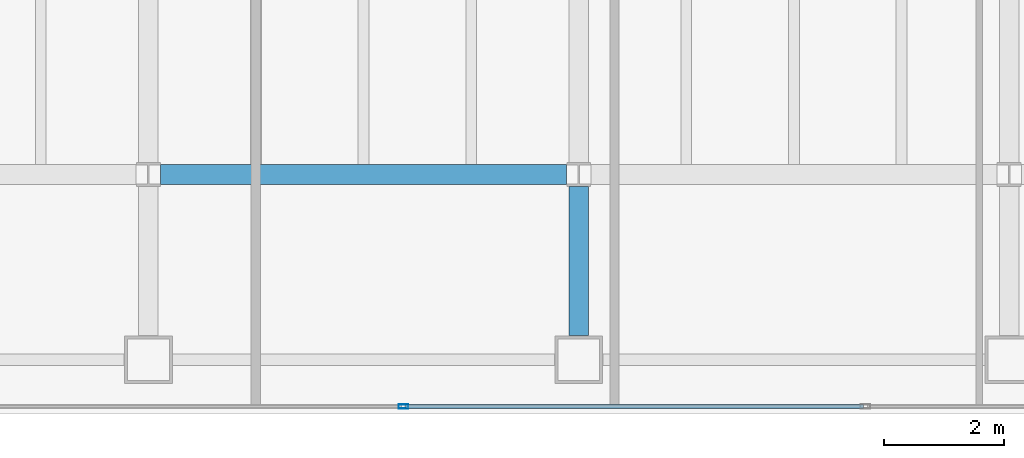
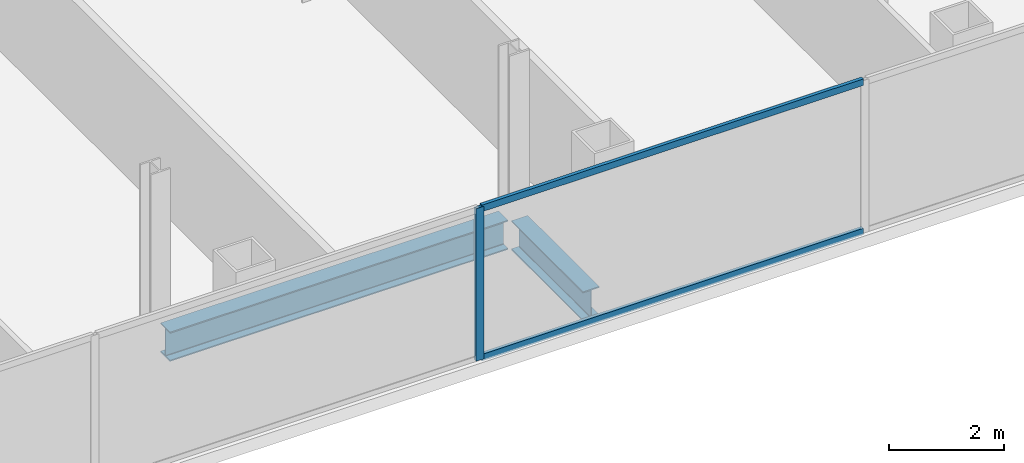
# One storey, part 6 of 23: 3 members, 2 beams, 1 element without a shape of its own.
"""IFC4 building model written with IfcOpenShell, lengths in metres."""

import ifcopenshell
import ifcopenshell.guid

model = None  # the IFC model being written
_history = None  # IfcOwnerHistory: only IFC2X3 demands one
_inside = {}  # id of a spatial element -> (the spatial element, [elements in it])
_under = {}  # id of a project, library or spatial element -> (it, [spatial elements below it])
_declared = {}  # id of a project -> (the project, [libraries it declares])
_typed = {}  # id of a type object -> (the type object, [elements of that type])
_made_of = {}  # id of a material, layer set ... -> (it, [elements and type objects made of it])


def new_model(schema):
    """Start an empty IFC model of exactly this schema.

    Asked for "IFC4X3", IfcOpenShell would pick the latest addendum, in which some entities
    have other attributes; the version numbers below select the first issue.
    IFC2X3 requires an IfcOwnerHistory on every rooted entity: one is made here for all.
    """
    global model, _history
    if schema == "IFC4X3":
        model = ifcopenshell.file(schema_version=(4, 3, 0, 0))
    else:
        model = ifcopenshell.file(schema=schema)
    _inside.clear()
    _under.clear()
    _declared.clear()
    _typed.clear()
    _made_of.clear()
    _history = None
    if model.schema == "IFC2X3":
        org = make("IfcOrganization", Name="unknown")
        user = make(
            "IfcPersonAndOrganization",
            ThePerson=make("IfcPerson", FamilyName="unknown"),
            TheOrganization=org,
        )
        app = make(
            "IfcApplication",
            ApplicationDeveloper=org,
            Version="unknown",
            ApplicationFullName="unknown",
            ApplicationIdentifier="unknown",
        )
        _history = make(
            "IfcOwnerHistory",
            OwningUser=user,
            OwningApplication=app,
            ChangeAction="ADDED",
            CreationDate=0,
        )
    return model


def make(cls, **values):
    """One entity of the class cls with the attributes given. An attribute that is None is left unset."""
    return model.create_entity(
        cls, **{name: value for name, value in values.items() if value is not None}
    )


def rooted(cls, **values):
    """An entity with a GlobalId (a new one), such as an element, a storey or a relation."""
    return make(cls, GlobalId=ifcopenshell.guid.new(), OwnerHistory=_history, **values)


def si_unit(unit_type, name, prefix=None):
    """IfcSIUnit, for example si_unit("LENGTHUNIT", "METRE", prefix="MILLI")."""
    return make("IfcSIUnit", UnitType=unit_type, Prefix=prefix, Name=name)


def assignment(units):
    """IfcUnitAssignment: the units of a project."""
    return None if units is None else make("IfcUnitAssignment", Units=units)


def point(xyz):
    """IfcCartesianPoint."""
    return None if xyz is None else make("IfcCartesianPoint", Coordinates=xyz)


def direction(xyz):
    """IfcDirection."""
    return None if xyz is None else make("IfcDirection", DirectionRatios=xyz)


def frame(location, z_axis=None, x_axis=None):
    """IfcAxis2Placement3D, a coordinate frame: its origin and axes. An axis left out is left unset."""
    return make(
        "IfcAxis2Placement3D",
        Location=point(location),
        Axis=direction(z_axis),
        RefDirection=direction(x_axis),
    )


def frame_2d(location, x_axis=None):
    """IfcAxis2Placement2D, a coordinate frame in the plane: its origin and x axis."""
    return make(
        "IfcAxis2Placement2D", Location=point(location), RefDirection=direction(x_axis)
    )


def origin():
    """The frame at (0, 0, 0) with its axes left unset."""
    return frame((0.0, 0.0, 0.0))


def origin_2d():
    """The frame at (0, 0) in the plane with its x axis left unset."""
    return frame_2d((0.0, 0.0))


def place(relative_to, where):
    """IfcLocalPlacement: puts the frame where relative to a parent placement (None: the world)."""
    return make(
        "IfcLocalPlacement", PlacementRelTo=relative_to, RelativePlacement=where
    )


def context(
    kind, dimensions, precision=None, world=None, true_north=None, identifier=None
):
    """IfcGeometricRepresentationContext, for example the 3D "Model" context."""
    return make(
        "IfcGeometricRepresentationContext",
        ContextIdentifier=identifier,
        ContextType=kind,
        CoordinateSpaceDimension=dimensions,
        Precision=precision,
        WorldCoordinateSystem=world,
        TrueNorth=true_north,
    )


def subcontext(parent, identifier, kind, view, scale=None):
    """IfcGeometricRepresentationSubContext, for example "Body" below "Model"."""
    return make(
        "IfcGeometricRepresentationSubContext",
        ContextIdentifier=identifier,
        ContextType=kind,
        ParentContext=parent,
        TargetScale=scale,
        TargetView=view,
    )


def project(units=None, contexts=None):
    """IfcProject with its units and contexts."""
    return rooted(
        "IfcProject",
        Name="project",
        RepresentationContexts=contexts,
        UnitsInContext=assignment(units),
    )


def spatial(cls, under=None, at=None, **own):
    """A site, building, storey or space (cls), placed at a placement, below another one or the project."""
    s = rooted(cls, ObjectPlacement=at, **own)
    if under is not None:
        _under.setdefault(under.id(), (under, []))[1].append(s)
    return s


def profile(cls, at=None, kind="AREA", **sizes):
    """A parametric profile (cls). Its sizes go by their IFC names, for example OverallWidth=200.0."""
    return make(cls, ProfileType=kind, Position=at, **sizes)


def hollow_rectangle(**sizes):
    """IfcRectangleHollowProfileDef."""
    return profile("IfcRectangleHollowProfileDef", **sizes)


def i_section(**sizes):
    """IfcIShapeProfileDef."""
    return profile("IfcIShapeProfileDef", **sizes)


def extrude(swept, where, along, depth):
    """IfcExtrudedAreaSolid: the profile swept, set in the frame where, extruded along a direction by depth."""
    return make(
        "IfcExtrudedAreaSolid",
        SweptArea=swept,
        Position=where,
        ExtrudedDirection=direction(along),
        Depth=depth,
    )


def shape(context_of_items, identifier, shape_type, items):
    """IfcShapeRepresentation: the items that make up one representation, for example the "Body"."""
    return make(
        "IfcShapeRepresentation",
        ContextOfItems=context_of_items,
        RepresentationIdentifier=identifier,
        RepresentationType=shape_type,
        Items=items,
    )


def material(Name=None, Category=None):
    """IfcMaterial."""
    return make("IfcMaterial", Name=Name, Category=Category)


def material_profile(
    of_material, cross_section, Name=None, Category=None, Priority=None
):
    """IfcMaterialProfile: a cross section and its material."""
    return make(
        "IfcMaterialProfile",
        Name=Name,
        Material=of_material,
        Profile=cross_section,
        Priority=Priority,
        Category=Category,
    )


def profile_set(profiles, Name=None, composite=None):
    """IfcMaterialProfileSet."""
    return make(
        "IfcMaterialProfileSet",
        Name=Name,
        MaterialProfiles=profiles,
        CompositeProfile=composite,
    )


def made_of(thing, what):
    """Note that an element or type object is made of a material, layer set ...; save() writes the relation."""
    if what is not None:
        _made_of.setdefault(what.id(), (what, []))[1].append(thing)
    return thing


def type_object(cls, material=None, **own):
    """A type object (cls), such as IfcWallType, which elements share."""
    return made_of(rooted(cls, **own), material)


def element(
    cls,
    number,
    at=None,
    inside=None,
    cuts=None,
    type_object=None,
    material=None,
    context=None,
    identifier="Body",
    shape_type=None,
    held_by="IfcProductDefinitionShape",
    body=None,
    shapes=None,
    **own,
):
    """One element of the class cls, such as IfcWall. Its Tag is "e" and its number.

    at: its placement. inside: the storey or other place that contains it. cuts: it is an
    opening in that element (IfcRelVoidsElement). A single representation is given by context,
    identifier, shape_type and body (its items); several are given by shapes. held_by: the class
    of the entity that holds the representations. save() writes the other relations.
    """
    e = rooted(cls, Tag="e%d" % number, ObjectPlacement=at, **own)
    if body is not None:
        shapes = [shape(context, identifier, shape_type, body)]
    if shapes is not None:
        e.Representation = make(held_by, Representations=shapes)
    if inside is not None:
        _inside.setdefault(inside.id(), (inside, []))[1].append(e)
    if cuts is not None:
        rooted(
            "IfcRelVoidsElement", RelatingBuildingElement=cuts, RelatedOpeningElement=e
        )
    if type_object is not None:
        _typed.setdefault(type_object.id(), (type_object, []))[1].append(e)
    return made_of(e, material)


def aggregate(whole, parts):
    """IfcRelAggregates: a whole, such as a stair, and the parts it consists of."""
    return rooted("IfcRelAggregates", RelatingObject=whole, RelatedObjects=parts)


def save(model, path):
    """Write the relations noted so far, then the file.

    IfcRelAggregates (storeys below a building ...), IfcRelContainedInSpatialStructure (elements
    in a storey), IfcRelDefinesByType, IfcRelAssociatesMaterial and IfcRelDeclares: one each for
    every whole, place, type object, material and project.
    """
    for whole, parts in _under.values():
        aggregate(whole, parts)
    for where, things in _inside.values():
        rooted(
            "IfcRelContainedInSpatialStructure",
            RelatedElements=things,
            RelatingStructure=where,
        )
    for kind, things in _typed.values():
        rooted("IfcRelDefinesByType", RelatedObjects=things, RelatingType=kind)
    for what, things in _made_of.values():
        rooted("IfcRelAssociatesMaterial", RelatedObjects=things, RelatingMaterial=what)
    for by, libraries in _declared.values():
        rooted("IfcRelDeclares", RelatingContext=by, RelatedDefinitions=libraries)
    model.write(path)


model = new_model("IFC4")

# Units and contexts
model_context = context("Model", 3, precision=1e-05, world=origin(), true_north=direction((0.0, 1.0)))
body_context = subcontext(model_context, "Body", "Model", "MODEL_VIEW")
ifc_project = project(units=[si_unit("LENGTHUNIT", "METRE"), si_unit("AREAUNIT", "SQUARE_METRE"), si_unit("VOLUMEUNIT", "CUBIC_METRE"), si_unit("PLANEANGLEUNIT", "RADIAN"), si_unit("MASSUNIT", "GRAM", prefix="KILO")], contexts=[model_context])

# Site, building, storey
site_placement = place(None, origin())
site = spatial("IfcSite", under=ifc_project, at=site_placement, CompositionType="ELEMENT")
building_placement = place(site_placement, origin())
building = spatial("IfcBuilding", under=site, at=building_placement, Name="Cobrela Telecom Tower", CompositionType="ELEMENT")
storey_placement = place(building_placement, frame((0.0, 0.0, 194.25)))
storey = spatial("IfcBuildingStorey", under=building, at=storey_placement, Name="L49", CompositionType="ELEMENT", Elevation=194.25)

# Beams
ifc_material_1 = material(Name="Steel ASTM A992 Grade 50", Category="steel")
ifc_material_profile_1 = material_profile(ifc_material_1, i_section(OverallWidth=0.327880859375, OverallDepth=0.6220703125, WebThickness=0.015380859375, FlangeThickness=0.0244140625, FilletRadius=0.014892578125, at=origin_2d()), Name="W24X131")
ifc_profile_set_1 = profile_set([ifc_material_profile_1], Name="Steel ASTM A992 Grade 50")
beam_type = type_object("IfcBeamType", Name="BM-GIRD-06", PredefinedType="USERDEFINED", material=ifc_profile_set_1)
beam_1_placement = place(storey_placement, frame((21.804443359375, 7.199951171875, -0.571044921875), z_axis=(1.0, 0.0, 0.0), x_axis=(0.0, 1.0, 0.0)))
element("IfcBeam", 1, at=beam_1_placement, inside=storey, type_object=beam_type, Name="L49 Primary Girder X08", ObjectType="GIRDER", PredefinedType="USERDEFINED", context=body_context, shape_type="SweptSolid", body=[
    extrude(i_section(OverallWidth=0.327880859375, OverallDepth=0.6220703125, WebThickness=0.015380859375, FlangeThickness=0.0244140625, FilletRadius=0.014892578125, at=origin_2d()), origin(), (0.0, 0.0, 1.0), 6.791015625),
])
beam_2_placement = place(storey_placement, frame((28.800048828125, 4.5048828125, -0.571044921875), z_axis=(0.0, 1.0, 0.0), x_axis=(-1.0, 0.0, 0.0)))
element("IfcBeam", 2, at=beam_2_placement, inside=storey, type_object=beam_type, Name="L49 Primary Girder Y36", ObjectType="GIRDER", PredefinedType="USERDEFINED", context=body_context, shape_type="SweptSolid", body=[
    extrude(i_section(OverallWidth=0.327880859375, OverallDepth=0.6220703125, WebThickness=0.015380859375, FlangeThickness=0.0244140625, FilletRadius=0.014892578125, at=origin_2d()), origin(), (0.0, 0.0, 1.0), 2.49072265625),
])

# Curtain wall, members
ifc_material_2 = material(Name="Anodized Bronze Aluminium 6063-T6", Category="aluminium")
curtain_wall_type = type_object("IfcCurtainWallType", Name="CW-SYS-OFF-LO", PredefinedType="USERDEFINED", material=ifc_material_2)
curtain_wall_placement = place(storey_placement, origin())
curtain_wall = element("IfcCurtainWall", 3, at=curtain_wall_placement, inside=storey, type_object=curtain_wall_type, Name="L49 Unitised Bronze Curtain Wall 17", ObjectType="UNITISED CURTAIN WALL", PredefinedType="USERDEFINED")
ifc_material_profile_2 = material_profile(ifc_material_2, hollow_rectangle(XDim=0.070068359375, YDim=0.159912109375, WallThickness=0.00390625, at=origin_2d()), Name="ALU 70x160x4")
ifc_profile_set_2 = profile_set([ifc_material_profile_2], Name="Anodized Bronze Aluminium 6063-T6")
member_type_1 = type_object("IfcMemberType", Name="CW-SYS-OFF-LO-MUL", PredefinedType="MULLION", material=ifc_profile_set_2)
member_1_placement = place(storey_placement, frame((25.865966796875, 3.320068359375, 0.0), z_axis=(0.0, 0.0, 1.0), x_axis=(0.0, -1.0, 0.0)))
member_1 = element("IfcMember", 4, at=member_1_placement, type_object=member_type_1, Name="CW-OFF-LO mullion 3", PredefinedType="MULLION", context=body_context, shape_type="SweptSolid", body=[
    extrude(hollow_rectangle(XDim=0.070068359375, YDim=0.159912109375, WallThickness=0.00390625, at=origin_2d()), origin(), (0.0, 0.0, 1.0), 3.239990234375),
])
ifc_material_profile_3 = material_profile(ifc_material_2, hollow_rectangle(XDim=0.070068359375, YDim=0.139892578125, WallThickness=0.00390625, at=origin_2d()), Name="ALU 70x140x4")
ifc_profile_set_3 = profile_set([ifc_material_profile_3], Name="Anodized Bronze Aluminium 6063-T6")
member_type_2 = type_object("IfcMemberType", Name="CW-SYS-OFF-LO-TRN", PredefinedType="USERDEFINED", material=ifc_profile_set_3)
member_2_placement = place(storey_placement, frame((33.56298828125, 3.320068359375, 0.034912109375), z_axis=(-1.0, 0.0, 0.0), x_axis=(0.0, -1.0, 0.0)))
member_2 = element("IfcMember", 5, at=member_2_placement, type_object=member_type_2, Name="CW-OFF-LO transom 2.1", ObjectType="TRANSOM", PredefinedType="USERDEFINED", context=body_context, shape_type="SweptSolid", body=[
    extrude(hollow_rectangle(XDim=0.070068359375, YDim=0.139892578125, WallThickness=0.00390625, at=origin_2d()), origin(), (0.0, 0.0, 1.0), 7.662109375),
])
member_3_placement = place(storey_placement, frame((33.56298828125, 3.320068359375, 3.205078125), z_axis=(-1.0, 0.0, 0.0), x_axis=(0.0, -1.0, 0.0)))
member_3 = element("IfcMember", 6, at=member_3_placement, type_object=member_type_2, Name="CW-OFF-LO transom 2.2", ObjectType="TRANSOM", PredefinedType="USERDEFINED", context=body_context, shape_type="SweptSolid", body=[
    extrude(hollow_rectangle(XDim=0.070068359375, YDim=0.139892578125, WallThickness=0.00390625, at=origin_2d()), origin(), (0.0, 0.0, 1.0), 7.662109375),
])
aggregate(curtain_wall, [member_1, member_2, member_3])

save(model, "model.ifc")
